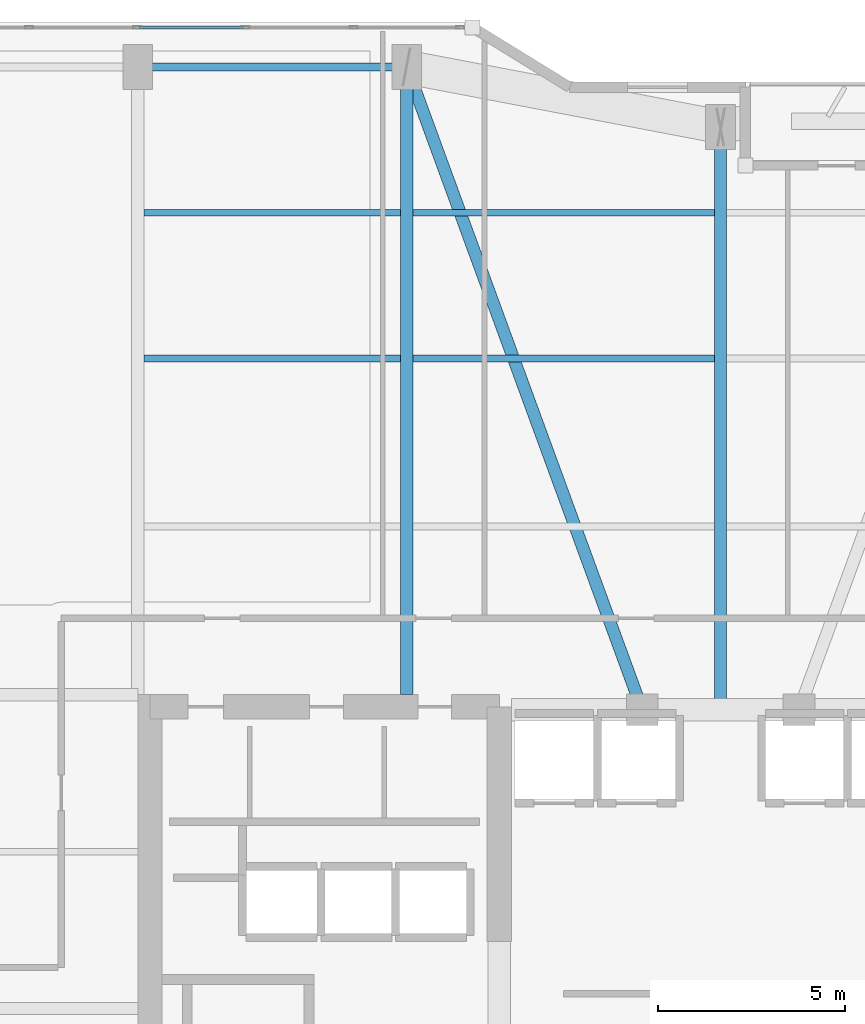
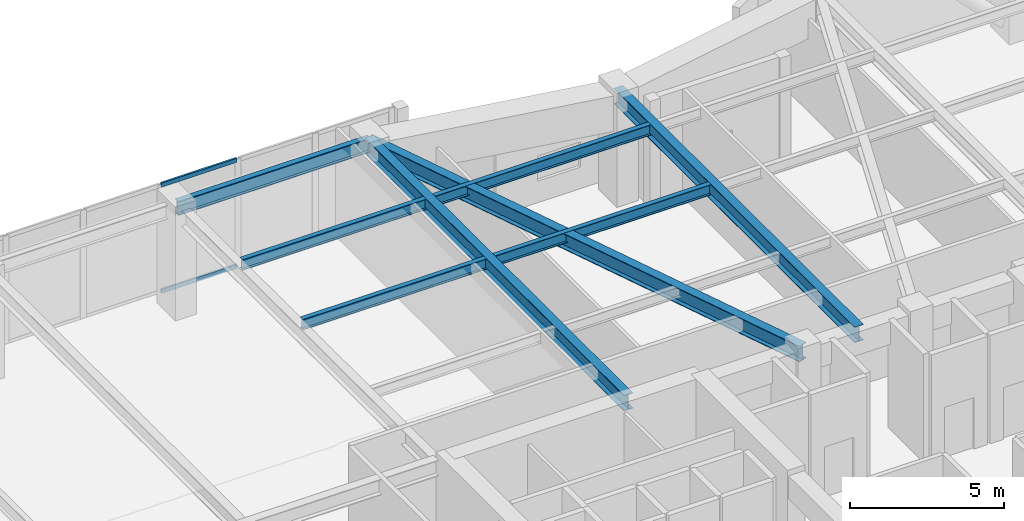
# One storey, part 9 of 21: 8 beams, 2 members, 1 element without a shape of its own.
"""IFC4 building model written with IfcOpenShell, lengths in metres."""

import ifcopenshell
import ifcopenshell.guid

model = None  # the IFC model being written
_history = None  # IfcOwnerHistory: only IFC2X3 demands one
_inside = {}  # id of a spatial element -> (the spatial element, [elements in it])
_under = {}  # id of a project, library or spatial element -> (it, [spatial elements below it])
_declared = {}  # id of a project -> (the project, [libraries it declares])
_typed = {}  # id of a type object -> (the type object, [elements of that type])
_made_of = {}  # id of a material, layer set ... -> (it, [elements and type objects made of it])


def new_model(schema):
    """Start an empty IFC model of exactly this schema.

    Asked for "IFC4X3", IfcOpenShell would pick the latest addendum, in which some entities
    have other attributes; the version numbers below select the first issue.
    IFC2X3 requires an IfcOwnerHistory on every rooted entity: one is made here for all.
    """
    global model, _history
    if schema == "IFC4X3":
        model = ifcopenshell.file(schema_version=(4, 3, 0, 0))
    else:
        model = ifcopenshell.file(schema=schema)
    _inside.clear()
    _under.clear()
    _declared.clear()
    _typed.clear()
    _made_of.clear()
    _history = None
    if model.schema == "IFC2X3":
        org = make("IfcOrganization", Name="unknown")
        user = make(
            "IfcPersonAndOrganization",
            ThePerson=make("IfcPerson", FamilyName="unknown"),
            TheOrganization=org,
        )
        app = make(
            "IfcApplication",
            ApplicationDeveloper=org,
            Version="unknown",
            ApplicationFullName="unknown",
            ApplicationIdentifier="unknown",
        )
        _history = make(
            "IfcOwnerHistory",
            OwningUser=user,
            OwningApplication=app,
            ChangeAction="ADDED",
            CreationDate=0,
        )
    return model


def make(cls, **values):
    """One entity of the class cls with the attributes given. An attribute that is None is left unset."""
    return model.create_entity(
        cls, **{name: value for name, value in values.items() if value is not None}
    )


def rooted(cls, **values):
    """An entity with a GlobalId (a new one), such as an element, a storey or a relation."""
    return make(cls, GlobalId=ifcopenshell.guid.new(), OwnerHistory=_history, **values)


def si_unit(unit_type, name, prefix=None):
    """IfcSIUnit, for example si_unit("LENGTHUNIT", "METRE", prefix="MILLI")."""
    return make("IfcSIUnit", UnitType=unit_type, Prefix=prefix, Name=name)


def assignment(units):
    """IfcUnitAssignment: the units of a project."""
    return None if units is None else make("IfcUnitAssignment", Units=units)


def point(xyz):
    """IfcCartesianPoint."""
    return None if xyz is None else make("IfcCartesianPoint", Coordinates=xyz)


def direction(xyz):
    """IfcDirection."""
    return None if xyz is None else make("IfcDirection", DirectionRatios=xyz)


def frame(location, z_axis=None, x_axis=None):
    """IfcAxis2Placement3D, a coordinate frame: its origin and axes. An axis left out is left unset."""
    return make(
        "IfcAxis2Placement3D",
        Location=point(location),
        Axis=direction(z_axis),
        RefDirection=direction(x_axis),
    )


def frame_2d(location, x_axis=None):
    """IfcAxis2Placement2D, a coordinate frame in the plane: its origin and x axis."""
    return make(
        "IfcAxis2Placement2D", Location=point(location), RefDirection=direction(x_axis)
    )


def origin():
    """The frame at (0, 0, 0) with its axes left unset."""
    return frame((0.0, 0.0, 0.0))


def origin_2d():
    """The frame at (0, 0) in the plane with its x axis left unset."""
    return frame_2d((0.0, 0.0))


def place(relative_to, where):
    """IfcLocalPlacement: puts the frame where relative to a parent placement (None: the world)."""
    return make(
        "IfcLocalPlacement", PlacementRelTo=relative_to, RelativePlacement=where
    )


def context(
    kind, dimensions, precision=None, world=None, true_north=None, identifier=None
):
    """IfcGeometricRepresentationContext, for example the 3D "Model" context."""
    return make(
        "IfcGeometricRepresentationContext",
        ContextIdentifier=identifier,
        ContextType=kind,
        CoordinateSpaceDimension=dimensions,
        Precision=precision,
        WorldCoordinateSystem=world,
        TrueNorth=true_north,
    )


def subcontext(parent, identifier, kind, view, scale=None):
    """IfcGeometricRepresentationSubContext, for example "Body" below "Model"."""
    return make(
        "IfcGeometricRepresentationSubContext",
        ContextIdentifier=identifier,
        ContextType=kind,
        ParentContext=parent,
        TargetScale=scale,
        TargetView=view,
    )


def project(units=None, contexts=None):
    """IfcProject with its units and contexts."""
    return rooted(
        "IfcProject",
        Name="project",
        RepresentationContexts=contexts,
        UnitsInContext=assignment(units),
    )


def spatial(cls, under=None, at=None, **own):
    """A site, building, storey or space (cls), placed at a placement, below another one or the project."""
    s = rooted(cls, ObjectPlacement=at, **own)
    if under is not None:
        _under.setdefault(under.id(), (under, []))[1].append(s)
    return s


def profile(cls, at=None, kind="AREA", **sizes):
    """A parametric profile (cls). Its sizes go by their IFC names, for example OverallWidth=200.0."""
    return make(cls, ProfileType=kind, Position=at, **sizes)


def hollow_rectangle(**sizes):
    """IfcRectangleHollowProfileDef."""
    return profile("IfcRectangleHollowProfileDef", **sizes)


def i_section(**sizes):
    """IfcIShapeProfileDef."""
    return profile("IfcIShapeProfileDef", **sizes)


def extrude(swept, where, along, depth):
    """IfcExtrudedAreaSolid: the profile swept, set in the frame where, extruded along a direction by depth."""
    return make(
        "IfcExtrudedAreaSolid",
        SweptArea=swept,
        Position=where,
        ExtrudedDirection=direction(along),
        Depth=depth,
    )


def shape(context_of_items, identifier, shape_type, items):
    """IfcShapeRepresentation: the items that make up one representation, for example the "Body"."""
    return make(
        "IfcShapeRepresentation",
        ContextOfItems=context_of_items,
        RepresentationIdentifier=identifier,
        RepresentationType=shape_type,
        Items=items,
    )


def material(Name=None, Category=None):
    """IfcMaterial."""
    return make("IfcMaterial", Name=Name, Category=Category)


def layer(
    of_material, thickness, ventilated=None, Name=None, Category=None, Priority=None
):
    """IfcMaterialLayer: one layer of a wall or slab, of a material (None: an air gap)."""
    return make(
        "IfcMaterialLayer",
        Material=of_material,
        LayerThickness=thickness,
        IsVentilated=ventilated,
        Name=Name,
        Category=Category,
        Priority=Priority,
    )


def layer_set(layers, Name=None):
    """IfcMaterialLayerSet."""
    return make("IfcMaterialLayerSet", MaterialLayers=layers, LayerSetName=Name)


def material_profile(
    of_material, cross_section, Name=None, Category=None, Priority=None
):
    """IfcMaterialProfile: a cross section and its material."""
    return make(
        "IfcMaterialProfile",
        Name=Name,
        Material=of_material,
        Profile=cross_section,
        Priority=Priority,
        Category=Category,
    )


def profile_set(profiles, Name=None, composite=None):
    """IfcMaterialProfileSet."""
    return make(
        "IfcMaterialProfileSet",
        Name=Name,
        MaterialProfiles=profiles,
        CompositeProfile=composite,
    )


def made_of(thing, what):
    """Note that an element or type object is made of a material, layer set ...; save() writes the relation."""
    if what is not None:
        _made_of.setdefault(what.id(), (what, []))[1].append(thing)
    return thing


def type_object(cls, material=None, **own):
    """A type object (cls), such as IfcWallType, which elements share."""
    return made_of(rooted(cls, **own), material)


def element(
    cls,
    number,
    at=None,
    inside=None,
    cuts=None,
    type_object=None,
    material=None,
    context=None,
    identifier="Body",
    shape_type=None,
    held_by="IfcProductDefinitionShape",
    body=None,
    shapes=None,
    **own,
):
    """One element of the class cls, such as IfcWall. Its Tag is "e" and its number.

    at: its placement. inside: the storey or other place that contains it. cuts: it is an
    opening in that element (IfcRelVoidsElement). A single representation is given by context,
    identifier, shape_type and body (its items); several are given by shapes. held_by: the class
    of the entity that holds the representations. save() writes the other relations.
    """
    e = rooted(cls, Tag="e%d" % number, ObjectPlacement=at, **own)
    if body is not None:
        shapes = [shape(context, identifier, shape_type, body)]
    if shapes is not None:
        e.Representation = make(held_by, Representations=shapes)
    if inside is not None:
        _inside.setdefault(inside.id(), (inside, []))[1].append(e)
    if cuts is not None:
        rooted(
            "IfcRelVoidsElement", RelatingBuildingElement=cuts, RelatedOpeningElement=e
        )
    if type_object is not None:
        _typed.setdefault(type_object.id(), (type_object, []))[1].append(e)
    return made_of(e, material)


def aggregate(whole, parts):
    """IfcRelAggregates: a whole, such as a stair, and the parts it consists of."""
    return rooted("IfcRelAggregates", RelatingObject=whole, RelatedObjects=parts)


def save(model, path):
    """Write the relations noted so far, then the file.

    IfcRelAggregates (storeys below a building ...), IfcRelContainedInSpatialStructure (elements
    in a storey), IfcRelDefinesByType, IfcRelAssociatesMaterial and IfcRelDeclares: one each for
    every whole, place, type object, material and project.
    """
    for whole, parts in _under.values():
        aggregate(whole, parts)
    for where, things in _inside.values():
        rooted(
            "IfcRelContainedInSpatialStructure",
            RelatedElements=things,
            RelatingStructure=where,
        )
    for kind, things in _typed.values():
        rooted("IfcRelDefinesByType", RelatedObjects=things, RelatingType=kind)
    for what, things in _made_of.values():
        rooted("IfcRelAssociatesMaterial", RelatedObjects=things, RelatingMaterial=what)
    for by, libraries in _declared.values():
        rooted("IfcRelDeclares", RelatingContext=by, RelatedDefinitions=libraries)
    model.write(path)


model = new_model("IFC4")

# Units and contexts
model_context = context("Model", 3, precision=1e-05, world=origin(), true_north=direction((0.0, 1.0)))
body_context = subcontext(model_context, "Body", "Model", "MODEL_VIEW")
ifc_project = project(units=[si_unit("LENGTHUNIT", "METRE"), si_unit("AREAUNIT", "SQUARE_METRE"), si_unit("VOLUMEUNIT", "CUBIC_METRE"), si_unit("PLANEANGLEUNIT", "RADIAN"), si_unit("MASSUNIT", "GRAM", prefix="KILO")], contexts=[model_context])

# Site, building, storey
site_placement = place(None, origin())
site = spatial("IfcSite", under=ifc_project, at=site_placement, CompositionType="ELEMENT")
building_placement = place(site_placement, origin())
building = spatial("IfcBuilding", under=site, at=building_placement, Name="Kiyonajd Concourse Tower", CompositionType="ELEMENT")
storey_placement = place(building_placement, frame((0.0, 0.0, 181.800048828125)))
storey = spatial("IfcBuildingStorey", under=building, at=storey_placement, Name="L46", CompositionType="ELEMENT", Elevation=181.800048828125)

# Beams
ifc_material_1 = material(Name="Steel ASTM A992 Grade 50", Category="steel")
ifc_material_profile_1 = material_profile(ifc_material_1, i_section(OverallWidth=0.180908203125, OverallDepth=0.4169921875, WebThickness=0.010986328125, FlangeThickness=0.018310546875, at=origin_2d()), Name="W410X85")
ifc_profile_set_1 = profile_set([ifc_material_profile_1], Name="Steel ASTM A992 Grade 50")
beam_type_1 = type_object("IfcBeamType", Name="BM-JST-410", PredefinedType="JOIST", material=ifc_profile_set_1)
beam_1_placement = place(storey_placement, frame((32.5634765625, 53.39990234375, 4.071533203125), z_axis=(1.0, 0.0, 0.0), x_axis=(0.0, 1.0, 0.0)))
element("IfcBeam", 1, at=beam_1_placement, inside=storey, type_object=beam_type_1, Name="L46 Secondary Floor Joist", PredefinedType="JOIST", context=body_context, shape_type="SweptSolid", body=[
    extrude(i_section(OverallWidth=0.180908203125, OverallDepth=0.4169921875, WebThickness=0.010986328125, FlangeThickness=0.018310546875, at=origin_2d()), origin(), (0.0, 0.0, 1.0), 6.873046875),
])
beam_2_placement = place(storey_placement, frame((39.763427734375, 53.39990234375, 4.071533203125), z_axis=(1.0, 0.0, 0.0), x_axis=(0.0, 1.0, 0.0)))
element("IfcBeam", 2, at=beam_2_placement, inside=storey, type_object=beam_type_1, Name="L46 Secondary Floor Joist", PredefinedType="JOIST", context=body_context, shape_type="SweptSolid", body=[
    extrude(i_section(OverallWidth=0.180908203125, OverallDepth=0.4169921875, WebThickness=0.010986328125, FlangeThickness=0.018310546875, at=origin_2d()), origin(), (0.0, 0.0, 1.0), 8.072998046875),
])
beam_3_placement = place(storey_placement, frame((32.5634765625, 57.300048828125, 4.071533203125), z_axis=(1.0, 0.0, 0.0), x_axis=(0.0, 1.0, 0.0)))
element("IfcBeam", 3, at=beam_3_placement, inside=storey, type_object=beam_type_1, Name="L46 Secondary Floor Joist", PredefinedType="JOIST", context=body_context, shape_type="SweptSolid", body=[
    extrude(i_section(OverallWidth=0.180908203125, OverallDepth=0.4169921875, WebThickness=0.010986328125, FlangeThickness=0.018310546875, at=origin_2d()), origin(), (0.0, 0.0, 1.0), 6.873046875),
])
beam_4_placement = place(storey_placement, frame((39.763427734375, 57.300048828125, 4.071533203125), z_axis=(1.0, 0.0, 0.0), x_axis=(0.0, 1.0, 0.0)))
element("IfcBeam", 4, at=beam_4_placement, inside=storey, type_object=beam_type_1, Name="L46 Secondary Floor Joist", PredefinedType="JOIST", context=body_context, shape_type="SweptSolid", body=[
    extrude(i_section(OverallWidth=0.180908203125, OverallDepth=0.4169921875, WebThickness=0.010986328125, FlangeThickness=0.018310546875, at=origin_2d()), origin(), (0.0, 0.0, 1.0), 8.072998046875),
])
ifc_material_profile_2 = material_profile(ifc_material_1, i_section(OverallWidth=0.214111328125, OverallDepth=0.549072265625, WebThickness=0.0146484375, FlangeThickness=0.023681640625, at=origin_2d()), Name="W530X138")
ifc_profile_set_2 = profile_set([ifc_material_profile_2], Name="Steel ASTM A992 Grade 50")
beam_type_2 = type_object("IfcBeamType", Name="BM-SPAN-530A", PredefinedType="SPANDREL", material=ifc_profile_set_2)
beam_5_placement = place(storey_placement, frame((39.60009765625, 61.199951171875, 4.00537109375), z_axis=(-1.0, 0.0, 0.0), x_axis=(0.0, -1.0, 0.0)))
element("IfcBeam", 5, at=beam_5_placement, inside=storey, type_object=beam_type_2, Name="L46 Perimeter Bundled Tube Spandrel", PredefinedType="SPANDREL", context=body_context, shape_type="SweptSolid", body=[
    extrude(i_section(OverallWidth=0.214111328125, OverallDepth=0.549072265625, WebThickness=0.0146484375, FlangeThickness=0.023681640625, at=origin_2d()), origin(), (0.0, 0.0, 1.0), 7.2001953125),
])
ifc_material_profile_3 = material_profile(ifc_material_1, i_section(OverallWidth=0.326904296875, OverallDepth=0.6220703125, WebThickness=0.015380859375, FlangeThickness=0.0244140625, at=origin_2d()), Name="W610X195")
ifc_profile_set_3 = profile_set([ifc_material_profile_3], Name="Steel ASTM A992 Grade 50")
beam_type_3 = type_object("IfcBeamType", Name="BM-TWR-610A", PredefinedType="BEAM", material=ifc_profile_set_3)
beam_6_placement = place(storey_placement, frame((39.60009765625, 61.199951171875, 3.968994140625), z_axis=(0.343925269715, -0.938997022813, 0.0), x_axis=(0.938997022813, 0.343925269715, 0.0)))
element("IfcBeam", 6, at=beam_6_placement, inside=storey, type_object=beam_type_3, Name="L46 Core Tie Girder", PredefinedType="BEAM", context=body_context, shape_type="SweptSolid", body=[
    extrude(i_section(OverallWidth=0.326904296875, OverallDepth=0.6220703125, WebThickness=0.015380859375, FlangeThickness=0.0244140625, at=origin_2d()), origin(), (0.0, 0.0, 1.0), 18.3173828125),
])
beam_7_placement = place(storey_placement, frame((39.60009765625, 44.39990234375, 3.968994140625), z_axis=(0.0, 1.0, 0.0), x_axis=(-1.0, 0.0, 0.0)))
element("IfcBeam", 7, at=beam_7_placement, inside=storey, type_object=beam_type_3, Name="L46 North Lease Girder", PredefinedType="BEAM", context=body_context, shape_type="SweptSolid", body=[
    extrude(i_section(OverallWidth=0.326904296875, OverallDepth=0.6220703125, WebThickness=0.015380859375, FlangeThickness=0.0244140625, at=origin_2d()), origin(), (0.0, 0.0, 1.0), 16.800048828125),
])
beam_8_placement = place(storey_placement, frame((48.0, 44.0, 3.968994140625), z_axis=(0.0, 1.0, 0.0), x_axis=(-1.0, 0.0, 0.0)))
element("IfcBeam", 8, at=beam_8_placement, inside=storey, type_object=beam_type_3, Name="L46 North Ribbon Girder", PredefinedType="BEAM", context=body_context, shape_type="SweptSolid", body=[
    extrude(i_section(OverallWidth=0.326904296875, OverallDepth=0.6220703125, WebThickness=0.015380859375, FlangeThickness=0.0244140625, at=origin_2d()), origin(), (0.0, 0.0, 1.0), 15.60009765625),
])

# Curtain wall, members
ifc_material_2 = material(Name="Thermally Broken Anodised Aluminium", Category="aluminium")
ifc_layer = layer(ifc_material_2, 0.179931640625)
ifc_layer_set = layer_set([ifc_layer], Name="Thermally Broken Anodised Aluminium")
curtain_wall_type = type_object("IfcCurtainWallType", Name="CW-SYS-05", PredefinedType="NOTDEFINED", material=ifc_layer_set)
curtain_wall_placement = place(storey_placement, origin())
curtain_wall = element("IfcCurtainWall", 9, at=curtain_wall_placement, inside=storey, type_object=curtain_wall_type, Name="L46 Unitised Curtain Wall CW5", PredefinedType="NOTDEFINED")
ifc_material_profile_4 = material_profile(ifc_material_2, hollow_rectangle(XDim=0.074951171875, YDim=0.159912109375, WallThickness=0.0048828125, at=origin_2d()), Name="TRAN-75x160")
ifc_profile_set_4 = profile_set([ifc_material_profile_4], Name="Thermally Broken Anodised Aluminium")
member_type = type_object("IfcMemberType", Name="MB-CW-TRAN2", PredefinedType="USERDEFINED", material=ifc_profile_set_4)
member_1_placement = place(storey_placement, frame((32.427001953125, 62.260009765625, 0.037353515625), z_axis=(1.0, 0.0, 0.0), x_axis=(0.0, 1.0, 0.0)))
member_1 = element("IfcMember", 10, at=member_1_placement, type_object=member_type, Name="CW5 transom 4.1", ObjectType="TRANSOM", PredefinedType="USERDEFINED", context=body_context, shape_type="SweptSolid", body=[
    extrude(hollow_rectangle(XDim=0.074951171875, YDim=0.159912109375, WallThickness=0.0048828125, at=origin_2d()), origin(), (0.0, 0.0, 1.0), 2.818603515625),
])
member_2_placement = place(storey_placement, frame((32.427001953125, 62.260009765625, 4.242431640625), z_axis=(1.0, 0.0, 0.0), x_axis=(0.0, 1.0, 0.0)))
member_2 = element("IfcMember", 11, at=member_2_placement, type_object=member_type, Name="CW5 transom 4.2", ObjectType="TRANSOM", PredefinedType="USERDEFINED", context=body_context, shape_type="SweptSolid", body=[
    extrude(hollow_rectangle(XDim=0.074951171875, YDim=0.159912109375, WallThickness=0.0048828125, at=origin_2d()), origin(), (0.0, 0.0, 1.0), 2.818603515625),
])
aggregate(curtain_wall, [member_1, member_2])

save(model, "model.ifc")
